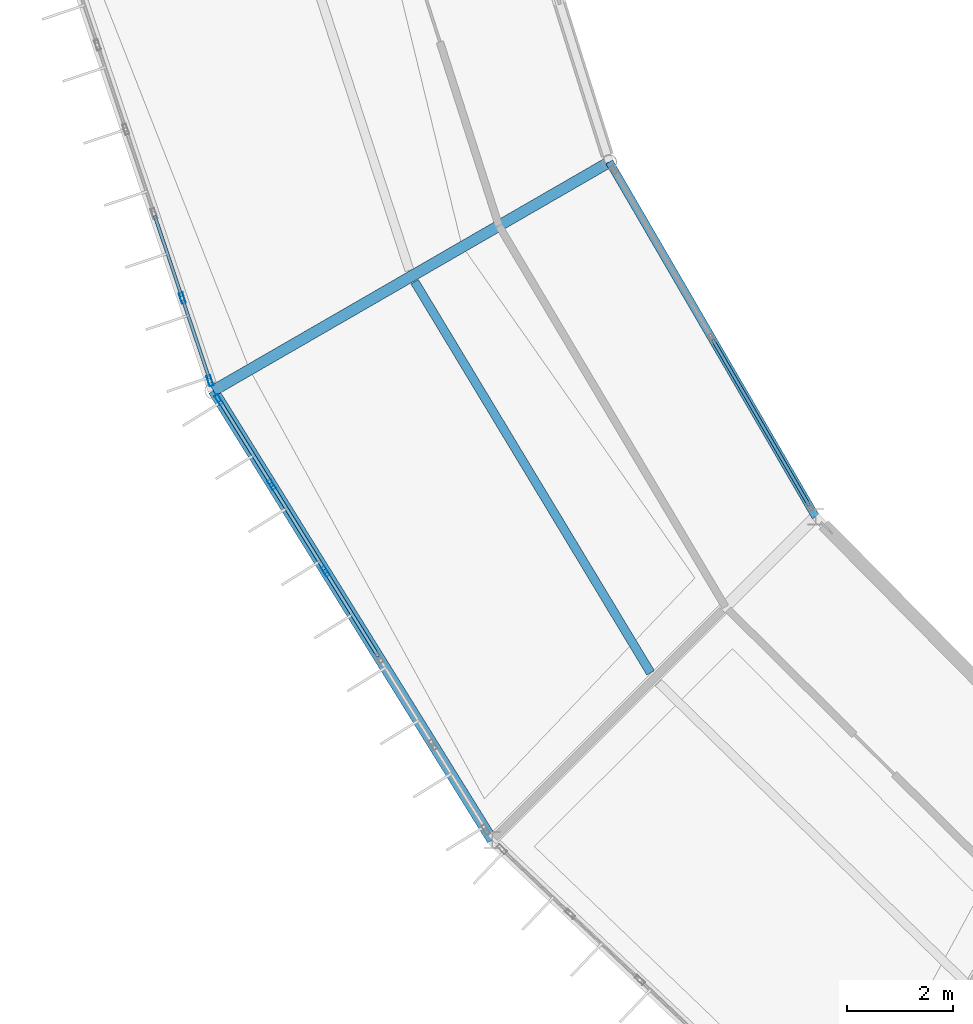
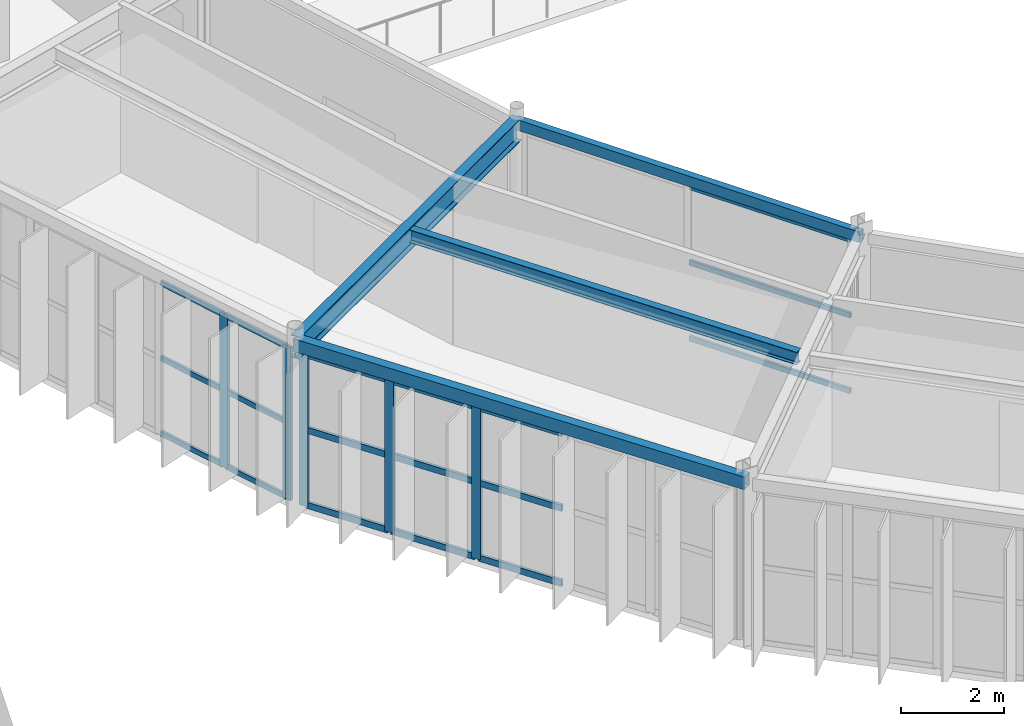
# One storey, part 27 of 148: 23 members, 4 beams, 3 elements without a shape of their own.
"""IFC4 building model written with IfcOpenShell, lengths in metres."""

from ifc_helpers import new_model, si_unit, direction, frame, origin, origin_2d, place, context, subcontext, project, spatial, hollow_rectangle, i_section, extrude, material, material_profile, profile_set, type_object, element, aggregate, save


model = new_model("IFC4")

# Units and contexts
model_context = context("Model", 3, precision=1e-05, world=origin(), true_north=direction((0.0, 1.0)))
body_context = subcontext(model_context, "Body", "Model", "MODEL_VIEW")
ifc_project = project(units=[si_unit("LENGTHUNIT", "METRE"), si_unit("AREAUNIT", "SQUARE_METRE"), si_unit("VOLUMEUNIT", "CUBIC_METRE"), si_unit("PLANEANGLEUNIT", "RADIAN"), si_unit("MASSUNIT", "GRAM", prefix="KILO")], contexts=[model_context])

# Site, building, storey
site_placement = place(None, origin())
site = spatial("IfcSite", under=ifc_project, at=site_placement, CompositionType="ELEMENT")
building_placement = place(site_placement, origin())
building = spatial("IfcBuilding", under=site, at=building_placement, Name="Karori Crest Natural Sciences Institute", CompositionType="ELEMENT")
storey_placement = place(building_placement, frame((0.0, 0.0, 4.89990234375)))
storey = spatial("IfcBuildingStorey", under=building, at=storey_placement, Name="L01", CompositionType="ELEMENT", Elevation=4.89990234375)

# Beams
ifc_material_1 = material(Name="Structural steel AS/NZS 3679.1 Grade 350", Category="steel")
ifc_material_profile_1 = material_profile(ifc_material_1, i_section(OverallWidth=0.208984375, OverallDepth=0.532958984375, WebThickness=0.01025390625, FlangeThickness=0.015625, FilletRadius=0.013916015625, at=origin_2d()), Name="530UB92.4")
ifc_profile_set_1 = profile_set([ifc_material_profile_1], Name="Structural steel AS/NZS 3679.1 Grade 350")
beam_type_1 = type_object("IfcBeamType", Name="BT-05", PredefinedType="BEAM", material=ifc_profile_set_1)
beam_1_placement = place(storey_placement, frame((45.26904296875, 33.800048828125, 3.673583984375), z_axis=(-0.866021068297, -0.500007509209, 0.0), x_axis=(0.500007509209, -0.866021068297, 0.0)))
element("IfcBeam", 1, at=beam_1_placement, inside=storey, type_object=beam_type_1, Name="Beam B-0234", PredefinedType="BEAM", context=body_context, shape_type="SweptSolid", body=[
    extrude(i_section(OverallWidth=0.208984375, OverallDepth=0.532958984375, WebThickness=0.01025390625, FlangeThickness=0.015625, FilletRadius=0.013916015625, at=origin_2d()), origin(), (0.0, 0.0, 1.0), 8.599853515625),
])
ifc_material_profile_2 = material_profile(ifc_material_1, i_section(OverallWidth=0.1650390625, OverallDepth=0.303955078125, WebThickness=0.006103515625, FlangeThickness=0.01025390625, FilletRadius=0.010986328125, at=origin_2d()), Name="310UB40.4")
ifc_profile_set_2 = profile_set([ifc_material_profile_2], Name="Structural steel AS/NZS 3679.1 Grade 350")
beam_type_2 = type_object("IfcBeamType", Name="BT-10", PredefinedType="BEAM", material=ifc_profile_set_2)
beam_2_placement = place(storey_placement, frame((41.607177734375, 31.54736328125, 3.7880859375), z_axis=(0.516601017309, -0.856226248672, 0.0), x_axis=(0.856226248672, 0.516601017309, 0.0)))
element("IfcBeam", 2, at=beam_2_placement, inside=storey, type_object=beam_type_2, Name="Beam B-0235", PredefinedType="BEAM", context=body_context, shape_type="SweptSolid", body=[
    extrude(i_section(OverallWidth=0.1650390625, OverallDepth=0.303955078125, WebThickness=0.006103515625, FlangeThickness=0.01025390625, FilletRadius=0.010986328125, at=origin_2d()), origin(), (0.0, 0.0, 1.0), 8.5888671875),
])
ifc_material_2 = material(Name="Hollow structural steel AS/NZS 1163 Grade C350", Category="steel")
ifc_material_profile_3 = material_profile(ifc_material_2, hollow_rectangle(XDim=0.199951171875, YDim=0.300048828125, WallThickness=0.010009765625, at=origin_2d()), Name="RHS300x200x10")
ifc_profile_set_3 = profile_set([ifc_material_profile_3], Name="Hollow structural steel AS/NZS 1163 Grade C350")
beam_type_3 = type_object("IfcBeamType", Name="BT-15", PredefinedType="SPANDREL", material=ifc_profile_set_3)
beam_3_placement = place(storey_placement, frame((37.8212890625, 29.5, 3.7900390625), z_axis=(0.527315195609, -0.849669750244, 0.0), x_axis=(0.849669750244, 0.527315195609, 0.0)))
element("IfcBeam", 3, at=beam_3_placement, inside=storey, type_object=beam_type_3, Name="Beam B-0232", PredefinedType="SPANDREL", context=body_context, shape_type="SweptSolid", body=[
    extrude(hollow_rectangle(XDim=0.199951171875, YDim=0.300048828125, WallThickness=0.010009765625, at=origin_2d()), origin(), (0.0, 0.0, 1.0), 9.945068359375),
])
ifc_material_profile_4 = material_profile(ifc_material_2, hollow_rectangle(XDim=0.14990234375, YDim=0.25, WallThickness=0.009033203125, at=origin_2d()), Name="RHS250x150x9")
ifc_profile_set_4 = profile_set([ifc_material_profile_4], Name="Hollow structural steel AS/NZS 1163 Grade C350")
beam_type_4 = type_object("IfcBeamType", Name="BT-16", PredefinedType="SPANDREL", material=ifc_profile_set_4)
beam_4_placement = place(storey_placement, frame((45.26904296875, 33.800048828125, 3.7900390625), z_axis=(0.502634759064, -0.86449887159, 0.0), x_axis=(0.86449887159, 0.502634759064, 0.0)))
element("IfcBeam", 4, at=beam_4_placement, inside=storey, type_object=beam_type_4, Name="Beam B-0233", PredefinedType="SPANDREL", context=body_context, shape_type="SweptSolid", body=[
    extrude(hollow_rectangle(XDim=0.14990234375, YDim=0.25, WallThickness=0.009033203125, at=origin_2d()), origin(), (0.0, 0.0, 1.0), 7.714111328125),
])

# Curtain wall, members
ifc_material_3 = material(Name="Anodised architectural aluminium 6063-T6", Category="aluminium")
curtain_wall_type_1 = type_object("IfcCurtainWallType", Name="CWT-04", PredefinedType="NOTDEFINED", material=ifc_material_3)
curtain_wall_1_placement = place(storey_placement, origin())
curtain_wall_1 = element("IfcCurtainWall", 5, at=curtain_wall_1_placement, inside=storey, type_object=curtain_wall_type_1, Name="Curtain wall CW-0049", PredefinedType="NOTDEFINED")
ifc_material_profile_5 = material_profile(ifc_material_3, hollow_rectangle(XDim=0.074951171875, YDim=0.199951171875, WallThickness=0.0048828125, at=origin_2d()), Name="CWM200x75x5")
ifc_profile_set_5 = profile_set([ifc_material_profile_5], Name="Anodised architectural aluminium 6063-T6")
member_type_1 = type_object("IfcMemberType", Name="CWM-02", PredefinedType="MULLION", material=ifc_profile_set_5)
member_1_placement = place(storey_placement, frame((37.758544921875, 29.687255859375, 0.0), z_axis=(0.0, 0.0, 1.0), x_axis=(-0.948196219586, -0.317685267462, 0.0)))
member_1 = element("IfcMember", 6, at=member_1_placement, type_object=member_type_1, Name="CW-0049 mullion 1", PredefinedType="MULLION", context=body_context, shape_type="SweptSolid", body=[
    extrude(hollow_rectangle(XDim=0.074951171875, YDim=0.199951171875, WallThickness=0.0048828125, at=origin_2d()), origin(), (0.0, 0.0, 1.0), 3.625),
])
member_2_placement = place(storey_placement, frame((37.23876953125, 31.23876953125, 0.0), z_axis=(0.0, 0.0, 1.0), x_axis=(-0.948196219586, -0.317685267462, 0.0)))
member_2 = element("IfcMember", 7, at=member_2_placement, type_object=member_type_1, Name="CW-0049 mullion 2", PredefinedType="MULLION", context=body_context, shape_type="SweptSolid", body=[
    extrude(hollow_rectangle(XDim=0.074951171875, YDim=0.199951171875, WallThickness=0.0048828125, at=origin_2d()), origin(), (0.0, 0.0, 1.0), 3.625),
])

curtain_wall_type_2 = type_object("IfcCurtainWallType", Name="CWT-05", PredefinedType="NOTDEFINED", material=ifc_material_3)
curtain_wall_2_placement = place(storey_placement, origin())
curtain_wall_2 = element("IfcCurtainWall", 8, at=curtain_wall_2_placement, inside=storey, type_object=curtain_wall_type_2, Name="Curtain wall CW-0050", PredefinedType="NOTDEFINED")
member_3_placement = place(storey_placement, frame((39.929443359375, 26.103271484375, 0.0), z_axis=(0.0, 0.0, 1.0), x_axis=(-0.849665769424, -0.527321609902, 0.0)))
member_3 = element("IfcMember", 9, at=member_3_placement, type_object=member_type_1, Name="CW-0050 mullion 4", PredefinedType="MULLION", context=body_context, shape_type="SweptSolid", body=[
    extrude(hollow_rectangle(XDim=0.074951171875, YDim=0.199951171875, WallThickness=0.0048828125, at=origin_2d()), origin(), (0.0, 0.0, 1.0), 3.625),
])
member_4_placement = place(storey_placement, frame((38.91748046875, 27.733642578125, 0.0), z_axis=(0.0, 0.0, 1.0), x_axis=(-0.849665769424, -0.527321609902, 0.0)))
member_4 = element("IfcMember", 10, at=member_4_placement, type_object=member_type_1, Name="CW-0050 mullion 5", PredefinedType="MULLION", context=body_context, shape_type="SweptSolid", body=[
    extrude(hollow_rectangle(XDim=0.074951171875, YDim=0.199951171875, WallThickness=0.0048828125, at=origin_2d()), origin(), (0.0, 0.0, 1.0), 3.625),
])
member_5_placement = place(storey_placement, frame((37.92529296875, 29.332275390625, 0.0), z_axis=(0.0, 0.0, 1.0), x_axis=(-0.849665769424, -0.527321609902, 0.0)))
member_5 = element("IfcMember", 11, at=member_5_placement, type_object=member_type_1, Name="CW-0050 mullion 6", PredefinedType="MULLION", context=body_context, shape_type="SweptSolid", body=[
    extrude(hollow_rectangle(XDim=0.074951171875, YDim=0.199951171875, WallThickness=0.0048828125, at=origin_2d()), origin(), (0.0, 0.0, 1.0), 3.625),
])

# Member
ifc_material_profile_6 = material_profile(ifc_material_3, hollow_rectangle(XDim=0.06005859375, YDim=0.1201171875, WallThickness=0.00390625, at=origin_2d()), Name="CWT120x60x4")
ifc_profile_set_6 = profile_set([ifc_material_profile_6], Name="Anodised architectural aluminium 6063-T6")
member_type_2 = type_object("IfcMemberType", Name="CWT-TR1", PredefinedType="USERDEFINED", material=ifc_profile_set_6)
member_6_placement = place(storey_placement, frame((37.74658203125, 29.722900390625, 0.030029296875), z_axis=(-0.317634958397, 0.948213073736, 0.0), x_axis=(-0.948213073736, -0.317634958397, 0.0)))
member_6 = element("IfcMember", 12, at=member_6_placement, type_object=member_type_2, Name="CW-0049 transom 1.1", ObjectType="TRANSOM", PredefinedType="USERDEFINED", context=body_context, shape_type="SweptSolid", body=[
    extrude(hollow_rectangle(XDim=0.06005859375, YDim=0.1201171875, WallThickness=0.00390625, at=origin_2d()), origin(), (0.0, 0.0, 1.0), 1.56103515625),
])

member_7_placement = place(storey_placement, frame((37.74658203125, 29.722900390625, 1.8125), z_axis=(-0.317634958397, 0.948213073736, 0.0), x_axis=(-0.948213073736, -0.317634958397, 0.0)))
member_7 = element("IfcMember", 13, at=member_7_placement, type_object=member_type_2, Name="CW-0049 transom 1.2", ObjectType="TRANSOM", PredefinedType="USERDEFINED", context=body_context, shape_type="SweptSolid", body=[
    extrude(hollow_rectangle(XDim=0.06005859375, YDim=0.1201171875, WallThickness=0.00390625, at=origin_2d()), origin(), (0.0, 0.0, 1.0), 1.56103515625),
])

member_8_placement = place(storey_placement, frame((37.74658203125, 29.722900390625, 3.59521484375), z_axis=(-0.317634958397, 0.948213073736, 0.0), x_axis=(-0.948213073736, -0.317634958397, 0.0)))
member_8 = element("IfcMember", 14, at=member_8_placement, type_object=member_type_2, Name="CW-0049 transom 1.3", ObjectType="TRANSOM", PredefinedType="USERDEFINED", context=body_context, shape_type="SweptSolid", body=[
    extrude(hollow_rectangle(XDim=0.06005859375, YDim=0.1201171875, WallThickness=0.00390625, at=origin_2d()), origin(), (0.0, 0.0, 1.0), 1.56103515625),
])

member_9_placement = place(storey_placement, frame((37.226806640625, 31.274169921875, 0.030029296875), z_axis=(-0.317647663217, 0.948208817747, 0.0), x_axis=(-0.948208817747, -0.317647663217, 0.0)))
member_9 = element("IfcMember", 15, at=member_9_placement, type_object=member_type_2, Name="CW-0049 transom 2.1", ObjectType="TRANSOM", PredefinedType="USERDEFINED", context=body_context, shape_type="SweptSolid", body=[
    extrude(hollow_rectangle(XDim=0.06005859375, YDim=0.1201171875, WallThickness=0.00390625, at=origin_2d()), origin(), (0.0, 0.0, 1.0), 1.5986328125),
])

member_10_placement = place(storey_placement, frame((37.226806640625, 31.274169921875, 1.8125), z_axis=(-0.317647663217, 0.948208817747, 0.0), x_axis=(-0.948208817747, -0.317647663217, 0.0)))
member_10 = element("IfcMember", 16, at=member_10_placement, type_object=member_type_2, Name="CW-0049 transom 2.2", ObjectType="TRANSOM", PredefinedType="USERDEFINED", context=body_context, shape_type="SweptSolid", body=[
    extrude(hollow_rectangle(XDim=0.06005859375, YDim=0.1201171875, WallThickness=0.00390625, at=origin_2d()), origin(), (0.0, 0.0, 1.0), 1.5986328125),
])

member_11_placement = place(storey_placement, frame((37.226806640625, 31.274169921875, 3.59521484375), z_axis=(-0.317647663217, 0.948208817747, 0.0), x_axis=(-0.948208817747, -0.317647663217, 0.0)))
member_11 = element("IfcMember", 17, at=member_11_placement, type_object=member_type_2, Name="CW-0049 transom 2.3", ObjectType="TRANSOM", PredefinedType="USERDEFINED", context=body_context, shape_type="SweptSolid", body=[
    extrude(hollow_rectangle(XDim=0.06005859375, YDim=0.1201171875, WallThickness=0.00390625, at=origin_2d()), origin(), (0.0, 0.0, 1.0), 1.5986328125),
])

aggregate(curtain_wall_1, [member_1, member_2, member_6, member_7, member_8, member_9, member_10, member_11])

# Curtain wall, members
curtain_wall_type_3 = type_object("IfcCurtainWallType", Name="CWT-15", PredefinedType="NOTDEFINED", material=ifc_material_3)
curtain_wall_3_placement = place(storey_placement, origin())
curtain_wall_3 = element("IfcCurtainWall", 18, at=curtain_wall_3_placement, inside=storey, type_object=curtain_wall_type_3, Name="Curtain wall CW-0051", PredefinedType="NOTDEFINED")
member_12_placement = place(storey_placement, frame((47.212646484375, 30.457275390625, 0.030029296875), z_axis=(0.502686422749, -0.864468831355, 0.0), x_axis=(0.864468831355, 0.502686422749, 0.0)))
member_12 = element("IfcMember", 19, at=member_12_placement, type_object=member_type_2, Name="CW-0051 transom 2.1", ObjectType="TRANSOM", PredefinedType="USERDEFINED", context=body_context, shape_type="SweptSolid", body=[
    extrude(hollow_rectangle(XDim=0.06005859375, YDim=0.1201171875, WallThickness=0.00390625, at=origin_2d()), origin(), (0.0, 0.0, 1.0), 3.602294921875),
])
member_13_placement = place(storey_placement, frame((47.212646484375, 30.457275390625, 1.8251953125), z_axis=(0.502686422749, -0.864468831355, 0.0), x_axis=(0.864468831355, 0.502686422749, 0.0)))
member_13 = element("IfcMember", 20, at=member_13_placement, type_object=member_type_2, Name="CW-0051 transom 2.2", ObjectType="TRANSOM", PredefinedType="USERDEFINED", context=body_context, shape_type="SweptSolid", body=[
    extrude(hollow_rectangle(XDim=0.06005859375, YDim=0.1201171875, WallThickness=0.00390625, at=origin_2d()), origin(), (0.0, 0.0, 1.0), 3.602294921875),
])
member_14_placement = place(storey_placement, frame((47.212646484375, 30.457275390625, 3.6201171875), z_axis=(0.502686422749, -0.864468831355, 0.0), x_axis=(0.864468831355, 0.502686422749, 0.0)))
member_14 = element("IfcMember", 21, at=member_14_placement, type_object=member_type_2, Name="CW-0051 transom 2.3", ObjectType="TRANSOM", PredefinedType="USERDEFINED", context=body_context, shape_type="SweptSolid", body=[
    extrude(hollow_rectangle(XDim=0.06005859375, YDim=0.1201171875, WallThickness=0.00390625, at=origin_2d()), origin(), (0.0, 0.0, 1.0), 3.602294921875),
])
aggregate(curtain_wall_3, [member_12, member_13, member_14])

# Member
ifc_material_profile_7 = material_profile(ifc_material_3, hollow_rectangle(XDim=0.06494140625, YDim=0.14990234375, WallThickness=0.00390625, at=origin_2d()), Name="CWT150x65x4")
ifc_profile_set_7 = profile_set([ifc_material_profile_7], Name="Anodised architectural aluminium 6063-T6")
member_type_3 = type_object("IfcMemberType", Name="CWT-TR2", PredefinedType="USERDEFINED", material=ifc_profile_set_7)
member_15_placement = place(storey_placement, frame((40.921630859375, 24.504638671875, 0.03271484375), z_axis=(-0.527366157674, 0.849638120461, 0.0), x_axis=(-0.849638120461, -0.527366157674, 0.0)))
member_15 = element("IfcMember", 22, at=member_15_placement, type_object=member_type_3, Name="CW-0050 transom 3.1", ObjectType="TRANSOM", PredefinedType="USERDEFINED", context=body_context, shape_type="SweptSolid", body=[
    extrude(hollow_rectangle(XDim=0.06494140625, YDim=0.14990234375, WallThickness=0.00390625, at=origin_2d()), origin(), (0.0, 0.0, 1.0), 1.843994140625),
])

member_16_placement = place(storey_placement, frame((40.921630859375, 24.504638671875, 1.8125), z_axis=(-0.527366157674, 0.849638120461, 0.0), x_axis=(-0.849638120461, -0.527366157674, 0.0)))
member_16 = element("IfcMember", 23, at=member_16_placement, type_object=member_type_3, Name="CW-0050 transom 3.2", ObjectType="TRANSOM", PredefinedType="USERDEFINED", context=body_context, shape_type="SweptSolid", body=[
    extrude(hollow_rectangle(XDim=0.06494140625, YDim=0.14990234375, WallThickness=0.00390625, at=origin_2d()), origin(), (0.0, 0.0, 1.0), 1.843994140625),
])

member_17_placement = place(storey_placement, frame((40.921630859375, 24.504638671875, 3.592529296875), z_axis=(-0.527366157674, 0.849638120461, 0.0), x_axis=(-0.849638120461, -0.527366157674, 0.0)))
member_17 = element("IfcMember", 24, at=member_17_placement, type_object=member_type_3, Name="CW-0050 transom 3.3", ObjectType="TRANSOM", PredefinedType="USERDEFINED", context=body_context, shape_type="SweptSolid", body=[
    extrude(hollow_rectangle(XDim=0.06494140625, YDim=0.14990234375, WallThickness=0.00390625, at=origin_2d()), origin(), (0.0, 0.0, 1.0), 1.843994140625),
])

member_18_placement = place(storey_placement, frame((39.90966796875, 26.135009765625, 0.03271484375), z_axis=(-0.527366157674, 0.849638120461, 0.0), x_axis=(-0.849638120461, -0.527366157674, 0.0)))
member_18 = element("IfcMember", 25, at=member_18_placement, type_object=member_type_3, Name="CW-0050 transom 4.1", ObjectType="TRANSOM", PredefinedType="USERDEFINED", context=body_context, shape_type="SweptSolid", body=[
    extrude(hollow_rectangle(XDim=0.06494140625, YDim=0.14990234375, WallThickness=0.00390625, at=origin_2d()), origin(), (0.0, 0.0, 1.0), 1.843994140625),
])

member_19_placement = place(storey_placement, frame((39.90966796875, 26.135009765625, 1.8125), z_axis=(-0.527366157674, 0.849638120461, 0.0), x_axis=(-0.849638120461, -0.527366157674, 0.0)))
member_19 = element("IfcMember", 26, at=member_19_placement, type_object=member_type_3, Name="CW-0050 transom 4.2", ObjectType="TRANSOM", PredefinedType="USERDEFINED", context=body_context, shape_type="SweptSolid", body=[
    extrude(hollow_rectangle(XDim=0.06494140625, YDim=0.14990234375, WallThickness=0.00390625, at=origin_2d()), origin(), (0.0, 0.0, 1.0), 1.843994140625),
])

member_20_placement = place(storey_placement, frame((39.90966796875, 26.135009765625, 3.592529296875), z_axis=(-0.527366157674, 0.849638120461, 0.0), x_axis=(-0.849638120461, -0.527366157674, 0.0)))
member_20 = element("IfcMember", 27, at=member_20_placement, type_object=member_type_3, Name="CW-0050 transom 4.3", ObjectType="TRANSOM", PredefinedType="USERDEFINED", context=body_context, shape_type="SweptSolid", body=[
    extrude(hollow_rectangle(XDim=0.06494140625, YDim=0.14990234375, WallThickness=0.00390625, at=origin_2d()), origin(), (0.0, 0.0, 1.0), 1.843994140625),
])

member_21_placement = place(storey_placement, frame((38.897705078125, 27.765380859375, 0.03271484375), z_axis=(-0.52733594851, 0.849656870395, 0.0), x_axis=(-0.849656870395, -0.52733594851, 0.0)))
member_21 = element("IfcMember", 28, at=member_21_placement, type_object=member_type_3, Name="CW-0050 transom 5.1", ObjectType="TRANSOM", PredefinedType="USERDEFINED", context=body_context, shape_type="SweptSolid", body=[
    extrude(hollow_rectangle(XDim=0.06494140625, YDim=0.14990234375, WallThickness=0.00390625, at=origin_2d()), origin(), (0.0, 0.0, 1.0), 1.806396484375),
])

member_22_placement = place(storey_placement, frame((38.897705078125, 27.765380859375, 1.8125), z_axis=(-0.52733594851, 0.849656870395, 0.0), x_axis=(-0.849656870395, -0.52733594851, 0.0)))
member_22 = element("IfcMember", 29, at=member_22_placement, type_object=member_type_3, Name="CW-0050 transom 5.2", ObjectType="TRANSOM", PredefinedType="USERDEFINED", context=body_context, shape_type="SweptSolid", body=[
    extrude(hollow_rectangle(XDim=0.06494140625, YDim=0.14990234375, WallThickness=0.00390625, at=origin_2d()), origin(), (0.0, 0.0, 1.0), 1.806396484375),
])

member_23_placement = place(storey_placement, frame((38.897705078125, 27.765380859375, 3.592529296875), z_axis=(-0.52733594851, 0.849656870395, 0.0), x_axis=(-0.849656870395, -0.52733594851, 0.0)))
member_23 = element("IfcMember", 30, at=member_23_placement, type_object=member_type_3, Name="CW-0050 transom 5.3", ObjectType="TRANSOM", PredefinedType="USERDEFINED", context=body_context, shape_type="SweptSolid", body=[
    extrude(hollow_rectangle(XDim=0.06494140625, YDim=0.14990234375, WallThickness=0.00390625, at=origin_2d()), origin(), (0.0, 0.0, 1.0), 1.806396484375),
])

aggregate(curtain_wall_2, [member_3, member_4, member_5, member_15, member_16, member_17, member_18, member_19, member_20, member_21, member_22, member_23])

save(model, "model.ifc")
